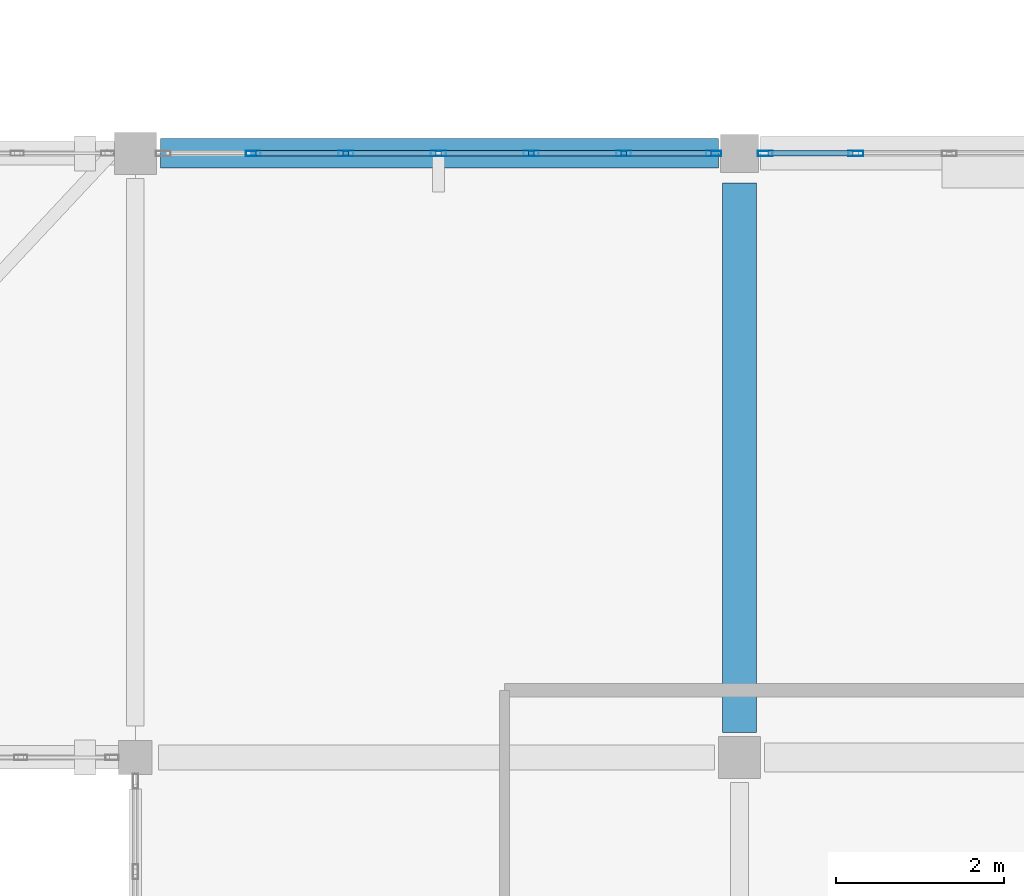
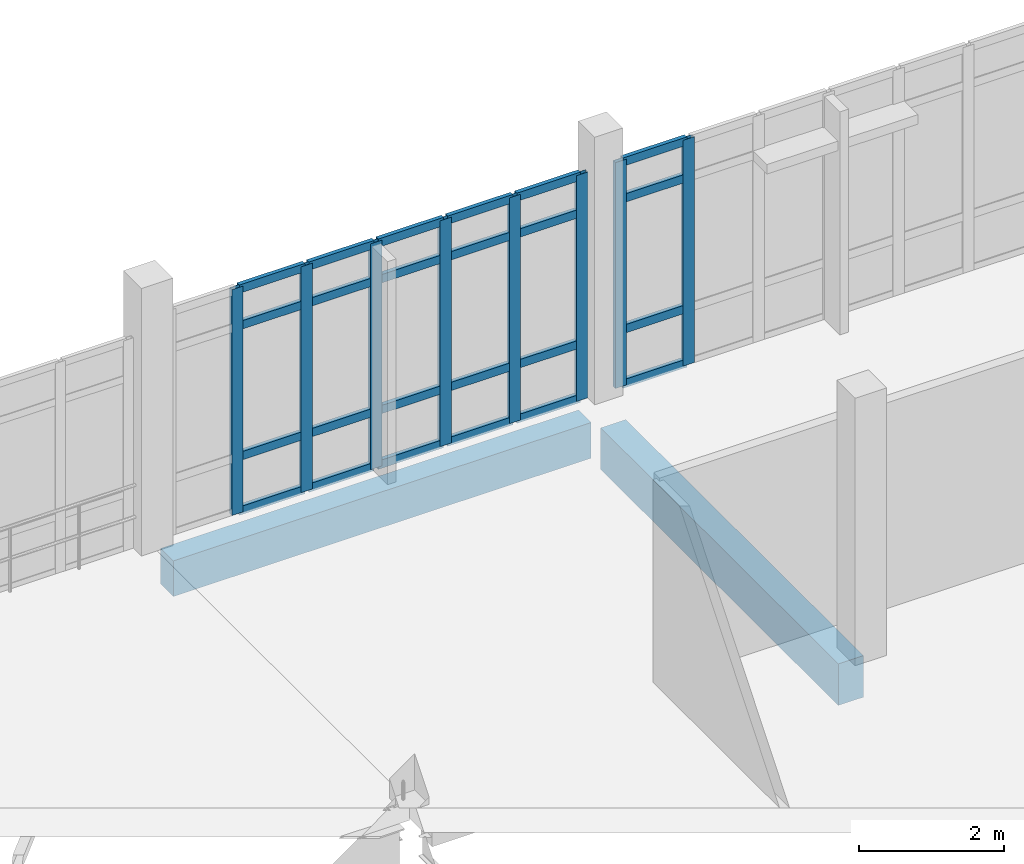
# One storey, part 51 of 116: 32 members, 2 beams, 2 elements without a shape of their own.
"""IFC4 building model written with IfcOpenShell, lengths in metres."""

from ifc_helpers import new_model, si_unit, direction, frame, origin, origin_2d, place, context, subcontext, project, spatial, rectangle, hollow_rectangle, extrude, material, material_profile, profile_set, type_object, element, aggregate, save


model = new_model("IFC4")

# Units and contexts
model_context = context("Model", 3, precision=1e-05, world=origin(), true_north=direction((0.0, 1.0)))
body_context = subcontext(model_context, "Body", "Model", "MODEL_VIEW")
ifc_project = project(units=[si_unit("LENGTHUNIT", "METRE"), si_unit("AREAUNIT", "SQUARE_METRE"), si_unit("VOLUMEUNIT", "CUBIC_METRE"), si_unit("PLANEANGLEUNIT", "RADIAN"), si_unit("MASSUNIT", "GRAM", prefix="KILO")], contexts=[model_context])

# Site, building, storey
site_placement = place(None, origin())
site = spatial("IfcSite", under=ifc_project, at=site_placement, CompositionType="ELEMENT")
building_placement = place(site_placement, origin())
building = spatial("IfcBuilding", under=site, at=building_placement, Name="Kalluvel Institute of Natural Sciences", CompositionType="ELEMENT")
storey_placement = place(building_placement, frame((0.0, 0.0, 14.39990234375)))
storey = spatial("IfcBuildingStorey", under=building, at=storey_placement, Name="L03", CompositionType="ELEMENT", Elevation=14.39990234375)

# Beam
ifc_material_1 = material(Name="Concrete M40", Category="concrete")
ifc_material_profile_1 = material_profile(ifc_material_1, rectangle(XDim=0.39990234375, YDim=0.699951171875, at=origin_2d()), Name="RCB 400x700")
ifc_profile_set_1 = profile_set([ifc_material_profile_1], Name="Concrete M40")
beam_type_1 = type_object("IfcBeamType", Name="BM-RC400x700", PredefinedType="BEAM", material=ifc_profile_set_1)
beam_1_placement = place(storey_placement, frame((107.60009765625, 28.699951171875, -0.669921875), z_axis=(0.0, 1.0, 0.0), x_axis=(-1.0, 0.0, 0.0)))
element("IfcBeam", 1, at=beam_1_placement, inside=storey, type_object=beam_type_1, Name="L03 girder GIR-L03-NS-X1076-Y284", PredefinedType="BEAM", context=body_context, shape_type="SweptSolid", body=[
    extrude(rectangle(XDim=0.39990234375, YDim=0.699951171875, at=origin_2d()), origin(), (0.0, 0.0, 1.0), 6.550048828125),
])

# Curtain wall, members
ifc_material_2 = material(Name="Aluminium AW-6063 T6", Category="aluminium")
curtain_wall_type = type_object("IfcCurtainWallType", Name="CW-SPAV-45", PredefinedType="USERDEFINED", material=ifc_material_2)
curtain_wall_1_placement = place(storey_placement, origin())
curtain_wall_1 = element("IfcCurtainWall", 2, at=curtain_wall_1_placement, inside=storey, type_object=curtain_wall_type, Name="L03 Gothic lancet curtain wall CWA-L03-X1007-Y356", ObjectType="UNITISED LANCET FACADE", PredefinedType="USERDEFINED")
ifc_material_profile_2 = material_profile(ifc_material_2, hollow_rectangle(XDim=0.06494140625, YDim=0.179931640625, WallThickness=0.00439453125, at=origin_2d()), Name="CWM 65x180")
ifc_profile_set_2 = profile_set([ifc_material_profile_2], Name="Aluminium AW-6063 T6")
member_type_1 = type_object("IfcMemberType", Name="CWM-65x180", PredefinedType="MULLION", material=ifc_profile_set_2)
member_1_placement = place(storey_placement, frame((101.80419921875, 35.60009765625, 0.0), z_axis=(0.0, 0.0, 1.0), x_axis=(0.0, 1.0, 0.0)))
member_1 = element("IfcMember", 3, at=member_1_placement, type_object=member_type_1, Name="CW-10 mullion 2", PredefinedType="MULLION", context=body_context, shape_type="SweptSolid", body=[
    extrude(hollow_rectangle(XDim=0.06494140625, YDim=0.179931640625, WallThickness=0.00439453125, at=origin_2d()), origin(), (0.0, 0.0, 1.0), 3.800048828125),
])
member_2_placement = place(storey_placement, frame((102.908447265625, 35.60009765625, 0.0), z_axis=(0.0, 0.0, 1.0), x_axis=(0.0, 1.0, 0.0)))
member_2 = element("IfcMember", 4, at=member_2_placement, type_object=member_type_1, Name="CW-10 mullion 3", PredefinedType="MULLION", context=body_context, shape_type="SweptSolid", body=[
    extrude(hollow_rectangle(XDim=0.06494140625, YDim=0.179931640625, WallThickness=0.00439453125, at=origin_2d()), origin(), (0.0, 0.0, 1.0), 3.800048828125),
])
member_3_placement = place(storey_placement, frame((104.012451171875, 35.60009765625, 0.0), z_axis=(0.0, 0.0, 1.0), x_axis=(0.0, 1.0, 0.0)))
member_3 = element("IfcMember", 5, at=member_3_placement, type_object=member_type_1, Name="CW-10 mullion 4", PredefinedType="MULLION", context=body_context, shape_type="SweptSolid", body=[
    extrude(hollow_rectangle(XDim=0.06494140625, YDim=0.179931640625, WallThickness=0.00439453125, at=origin_2d()), origin(), (0.0, 0.0, 1.0), 3.800048828125),
])
member_4_placement = place(storey_placement, frame((105.11669921875, 35.60009765625, 0.0), z_axis=(0.0, 0.0, 1.0), x_axis=(0.0, 1.0, 0.0)))
member_4 = element("IfcMember", 6, at=member_4_placement, type_object=member_type_1, Name="CW-10 mullion 5", PredefinedType="MULLION", context=body_context, shape_type="SweptSolid", body=[
    extrude(hollow_rectangle(XDim=0.06494140625, YDim=0.179931640625, WallThickness=0.00439453125, at=origin_2d()), origin(), (0.0, 0.0, 1.0), 3.800048828125),
])
member_5_placement = place(storey_placement, frame((106.220947265625, 35.60009765625, 0.0), z_axis=(0.0, 0.0, 1.0), x_axis=(0.0, 1.0, 0.0)))
member_5 = element("IfcMember", 7, at=member_5_placement, type_object=member_type_1, Name="CW-10 mullion 6", PredefinedType="MULLION", context=body_context, shape_type="SweptSolid", body=[
    extrude(hollow_rectangle(XDim=0.06494140625, YDim=0.179931640625, WallThickness=0.00439453125, at=origin_2d()), origin(), (0.0, 0.0, 1.0), 3.800048828125),
])
member_6_placement = place(storey_placement, frame((107.29248046875, 35.60009765625, 0.0), z_axis=(0.0, 0.0, 1.0), x_axis=(0.0, 1.0, 0.0)))
member_6 = element("IfcMember", 8, at=member_6_placement, type_object=member_type_1, Name="CW-10 mullion 7", PredefinedType="MULLION", context=body_context, shape_type="SweptSolid", body=[
    extrude(hollow_rectangle(XDim=0.06494140625, YDim=0.179931640625, WallThickness=0.00439453125, at=origin_2d()), origin(), (0.0, 0.0, 1.0), 3.800048828125),
])

curtain_wall_2_placement = place(storey_placement, origin())
curtain_wall_2 = element("IfcCurtainWall", 9, at=curtain_wall_2_placement, inside=storey, type_object=curtain_wall_type, Name="L03 Gothic lancet curtain wall CWA-L03-X1079-Y356", ObjectType="UNITISED LANCET FACADE", PredefinedType="USERDEFINED")
member_7_placement = place(storey_placement, frame((107.907470703125, 35.60009765625, 0.0), z_axis=(0.0, 0.0, 1.0), x_axis=(0.0, 1.0, 0.0)))
member_7 = element("IfcMember", 10, at=member_7_placement, type_object=member_type_1, Name="CW-10 mullion 1", PredefinedType="MULLION", context=body_context, shape_type="SweptSolid", body=[
    extrude(hollow_rectangle(XDim=0.06494140625, YDim=0.179931640625, WallThickness=0.00439453125, at=origin_2d()), origin(), (0.0, 0.0, 1.0), 3.800048828125),
])
member_8_placement = place(storey_placement, frame((108.987548828125, 35.60009765625, 0.0), z_axis=(0.0, 0.0, 1.0), x_axis=(0.0, 1.0, 0.0)))
member_8 = element("IfcMember", 11, at=member_8_placement, type_object=member_type_1, Name="CW-10 mullion 2", PredefinedType="MULLION", context=body_context, shape_type="SweptSolid", body=[
    extrude(hollow_rectangle(XDim=0.06494140625, YDim=0.179931640625, WallThickness=0.00439453125, at=origin_2d()), origin(), (0.0, 0.0, 1.0), 3.800048828125),
])

# Member
ifc_material_profile_3 = material_profile(ifc_material_2, hollow_rectangle(XDim=0.06494140625, YDim=0.139892578125, WallThickness=0.00439453125, at=origin_2d()), Name="CWT 65x140")
ifc_profile_set_3 = profile_set([ifc_material_profile_3], Name="Aluminium AW-6063 T6")
member_type_2 = type_object("IfcMemberType", Name="CWT-65x140", PredefinedType="USERDEFINED", material=ifc_profile_set_3)
member_9_placement = place(storey_placement, frame((101.836669921875, 35.60009765625, 0.03271484375), z_axis=(1.0, 0.0, 0.0), x_axis=(0.0, 1.0, 0.0)))
member_9 = element("IfcMember", 12, at=member_9_placement, type_object=member_type_2, Name="CW-10 transom 2.1", ObjectType="TRANSOM", PredefinedType="USERDEFINED", context=body_context, shape_type="SweptSolid", body=[
    extrude(hollow_rectangle(XDim=0.06494140625, YDim=0.139892578125, WallThickness=0.00439453125, at=origin_2d()), origin(), (0.0, 0.0, 1.0), 1.0390625),
])

member_10_placement = place(storey_placement, frame((101.836669921875, 35.60009765625, 0.9501953125), z_axis=(1.0, 0.0, 0.0), x_axis=(0.0, 1.0, 0.0)))
member_10 = element("IfcMember", 13, at=member_10_placement, type_object=member_type_2, Name="CW-10 transom 2.2", ObjectType="TRANSOM", PredefinedType="USERDEFINED", context=body_context, shape_type="SweptSolid", body=[
    extrude(hollow_rectangle(XDim=0.06494140625, YDim=0.139892578125, WallThickness=0.00439453125, at=origin_2d()), origin(), (0.0, 0.0, 1.0), 1.0390625),
])

member_11_placement = place(storey_placement, frame((101.836669921875, 35.60009765625, 3.150146484375), z_axis=(1.0, 0.0, 0.0), x_axis=(0.0, 1.0, 0.0)))
member_11 = element("IfcMember", 14, at=member_11_placement, type_object=member_type_2, Name="CW-10 transom 2.3", ObjectType="TRANSOM", PredefinedType="USERDEFINED", context=body_context, shape_type="SweptSolid", body=[
    extrude(hollow_rectangle(XDim=0.06494140625, YDim=0.139892578125, WallThickness=0.00439453125, at=origin_2d()), origin(), (0.0, 0.0, 1.0), 1.0390625),
])

member_12_placement = place(storey_placement, frame((101.836669921875, 35.60009765625, 3.767578125), z_axis=(1.0, 0.0, 0.0), x_axis=(0.0, 1.0, 0.0)))
member_12 = element("IfcMember", 15, at=member_12_placement, type_object=member_type_2, Name="CW-10 transom 2.4", ObjectType="TRANSOM", PredefinedType="USERDEFINED", context=body_context, shape_type="SweptSolid", body=[
    extrude(hollow_rectangle(XDim=0.06494140625, YDim=0.139892578125, WallThickness=0.00439453125, at=origin_2d()), origin(), (0.0, 0.0, 1.0), 1.0390625),
])

member_13_placement = place(storey_placement, frame((102.94091796875, 35.60009765625, 0.03271484375), z_axis=(1.0, 0.0, 0.0), x_axis=(0.0, 1.0, 0.0)))
member_13 = element("IfcMember", 16, at=member_13_placement, type_object=member_type_2, Name="CW-10 transom 3.1", ObjectType="TRANSOM", PredefinedType="USERDEFINED", context=body_context, shape_type="SweptSolid", body=[
    extrude(hollow_rectangle(XDim=0.06494140625, YDim=0.139892578125, WallThickness=0.00439453125, at=origin_2d()), origin(), (0.0, 0.0, 1.0), 1.0390625),
])

member_14_placement = place(storey_placement, frame((102.94091796875, 35.60009765625, 0.9501953125), z_axis=(1.0, 0.0, 0.0), x_axis=(0.0, 1.0, 0.0)))
member_14 = element("IfcMember", 17, at=member_14_placement, type_object=member_type_2, Name="CW-10 transom 3.2", ObjectType="TRANSOM", PredefinedType="USERDEFINED", context=body_context, shape_type="SweptSolid", body=[
    extrude(hollow_rectangle(XDim=0.06494140625, YDim=0.139892578125, WallThickness=0.00439453125, at=origin_2d()), origin(), (0.0, 0.0, 1.0), 1.0390625),
])

member_15_placement = place(storey_placement, frame((102.94091796875, 35.60009765625, 3.150146484375), z_axis=(1.0, 0.0, 0.0), x_axis=(0.0, 1.0, 0.0)))
member_15 = element("IfcMember", 18, at=member_15_placement, type_object=member_type_2, Name="CW-10 transom 3.3", ObjectType="TRANSOM", PredefinedType="USERDEFINED", context=body_context, shape_type="SweptSolid", body=[
    extrude(hollow_rectangle(XDim=0.06494140625, YDim=0.139892578125, WallThickness=0.00439453125, at=origin_2d()), origin(), (0.0, 0.0, 1.0), 1.0390625),
])

member_16_placement = place(storey_placement, frame((102.94091796875, 35.60009765625, 3.767578125), z_axis=(1.0, 0.0, 0.0), x_axis=(0.0, 1.0, 0.0)))
member_16 = element("IfcMember", 19, at=member_16_placement, type_object=member_type_2, Name="CW-10 transom 3.4", ObjectType="TRANSOM", PredefinedType="USERDEFINED", context=body_context, shape_type="SweptSolid", body=[
    extrude(hollow_rectangle(XDim=0.06494140625, YDim=0.139892578125, WallThickness=0.00439453125, at=origin_2d()), origin(), (0.0, 0.0, 1.0), 1.0390625),
])

member_17_placement = place(storey_placement, frame((104.044921875, 35.60009765625, 0.03271484375), z_axis=(1.0, 0.0, 0.0), x_axis=(0.0, 1.0, 0.0)))
member_17 = element("IfcMember", 20, at=member_17_placement, type_object=member_type_2, Name="CW-10 transom 4.1", ObjectType="TRANSOM", PredefinedType="USERDEFINED", context=body_context, shape_type="SweptSolid", body=[
    extrude(hollow_rectangle(XDim=0.06494140625, YDim=0.139892578125, WallThickness=0.00439453125, at=origin_2d()), origin(), (0.0, 0.0, 1.0), 1.039306640625),
])

member_18_placement = place(storey_placement, frame((104.044921875, 35.60009765625, 0.9501953125), z_axis=(1.0, 0.0, 0.0), x_axis=(0.0, 1.0, 0.0)))
member_18 = element("IfcMember", 21, at=member_18_placement, type_object=member_type_2, Name="CW-10 transom 4.2", ObjectType="TRANSOM", PredefinedType="USERDEFINED", context=body_context, shape_type="SweptSolid", body=[
    extrude(hollow_rectangle(XDim=0.06494140625, YDim=0.139892578125, WallThickness=0.00439453125, at=origin_2d()), origin(), (0.0, 0.0, 1.0), 1.039306640625),
])

member_19_placement = place(storey_placement, frame((104.044921875, 35.60009765625, 3.150146484375), z_axis=(1.0, 0.0, 0.0), x_axis=(0.0, 1.0, 0.0)))
member_19 = element("IfcMember", 22, at=member_19_placement, type_object=member_type_2, Name="CW-10 transom 4.3", ObjectType="TRANSOM", PredefinedType="USERDEFINED", context=body_context, shape_type="SweptSolid", body=[
    extrude(hollow_rectangle(XDim=0.06494140625, YDim=0.139892578125, WallThickness=0.00439453125, at=origin_2d()), origin(), (0.0, 0.0, 1.0), 1.039306640625),
])

member_20_placement = place(storey_placement, frame((104.044921875, 35.60009765625, 3.767578125), z_axis=(1.0, 0.0, 0.0), x_axis=(0.0, 1.0, 0.0)))
member_20 = element("IfcMember", 23, at=member_20_placement, type_object=member_type_2, Name="CW-10 transom 4.4", ObjectType="TRANSOM", PredefinedType="USERDEFINED", context=body_context, shape_type="SweptSolid", body=[
    extrude(hollow_rectangle(XDim=0.06494140625, YDim=0.139892578125, WallThickness=0.00439453125, at=origin_2d()), origin(), (0.0, 0.0, 1.0), 1.039306640625),
])

member_21_placement = place(storey_placement, frame((105.149169921875, 35.60009765625, 0.03271484375), z_axis=(1.0, 0.0, 0.0), x_axis=(0.0, 1.0, 0.0)))
member_21 = element("IfcMember", 24, at=member_21_placement, type_object=member_type_2, Name="CW-10 transom 5.1", ObjectType="TRANSOM", PredefinedType="USERDEFINED", context=body_context, shape_type="SweptSolid", body=[
    extrude(hollow_rectangle(XDim=0.06494140625, YDim=0.139892578125, WallThickness=0.00439453125, at=origin_2d()), origin(), (0.0, 0.0, 1.0), 1.0390625),
])

member_22_placement = place(storey_placement, frame((105.149169921875, 35.60009765625, 0.9501953125), z_axis=(1.0, 0.0, 0.0), x_axis=(0.0, 1.0, 0.0)))
member_22 = element("IfcMember", 25, at=member_22_placement, type_object=member_type_2, Name="CW-10 transom 5.2", ObjectType="TRANSOM", PredefinedType="USERDEFINED", context=body_context, shape_type="SweptSolid", body=[
    extrude(hollow_rectangle(XDim=0.06494140625, YDim=0.139892578125, WallThickness=0.00439453125, at=origin_2d()), origin(), (0.0, 0.0, 1.0), 1.0390625),
])

member_23_placement = place(storey_placement, frame((105.149169921875, 35.60009765625, 3.150146484375), z_axis=(1.0, 0.0, 0.0), x_axis=(0.0, 1.0, 0.0)))
member_23 = element("IfcMember", 26, at=member_23_placement, type_object=member_type_2, Name="CW-10 transom 5.3", ObjectType="TRANSOM", PredefinedType="USERDEFINED", context=body_context, shape_type="SweptSolid", body=[
    extrude(hollow_rectangle(XDim=0.06494140625, YDim=0.139892578125, WallThickness=0.00439453125, at=origin_2d()), origin(), (0.0, 0.0, 1.0), 1.0390625),
])

member_24_placement = place(storey_placement, frame((105.149169921875, 35.60009765625, 3.767578125), z_axis=(1.0, 0.0, 0.0), x_axis=(0.0, 1.0, 0.0)))
member_24 = element("IfcMember", 27, at=member_24_placement, type_object=member_type_2, Name="CW-10 transom 5.4", ObjectType="TRANSOM", PredefinedType="USERDEFINED", context=body_context, shape_type="SweptSolid", body=[
    extrude(hollow_rectangle(XDim=0.06494140625, YDim=0.139892578125, WallThickness=0.00439453125, at=origin_2d()), origin(), (0.0, 0.0, 1.0), 1.0390625),
])

member_25_placement = place(storey_placement, frame((106.25341796875, 35.60009765625, 0.03271484375), z_axis=(1.0, 0.0, 0.0), x_axis=(0.0, 1.0, 0.0)))
member_25 = element("IfcMember", 28, at=member_25_placement, type_object=member_type_2, Name="CW-10 transom 6.1", ObjectType="TRANSOM", PredefinedType="USERDEFINED", context=body_context, shape_type="SweptSolid", body=[
    extrude(hollow_rectangle(XDim=0.06494140625, YDim=0.139892578125, WallThickness=0.00439453125, at=origin_2d()), origin(), (0.0, 0.0, 1.0), 1.006591796875),
])

member_26_placement = place(storey_placement, frame((106.25341796875, 35.60009765625, 0.9501953125), z_axis=(1.0, 0.0, 0.0), x_axis=(0.0, 1.0, 0.0)))
member_26 = element("IfcMember", 29, at=member_26_placement, type_object=member_type_2, Name="CW-10 transom 6.2", ObjectType="TRANSOM", PredefinedType="USERDEFINED", context=body_context, shape_type="SweptSolid", body=[
    extrude(hollow_rectangle(XDim=0.06494140625, YDim=0.139892578125, WallThickness=0.00439453125, at=origin_2d()), origin(), (0.0, 0.0, 1.0), 1.006591796875),
])

member_27_placement = place(storey_placement, frame((106.25341796875, 35.60009765625, 3.150146484375), z_axis=(1.0, 0.0, 0.0), x_axis=(0.0, 1.0, 0.0)))
member_27 = element("IfcMember", 30, at=member_27_placement, type_object=member_type_2, Name="CW-10 transom 6.3", ObjectType="TRANSOM", PredefinedType="USERDEFINED", context=body_context, shape_type="SweptSolid", body=[
    extrude(hollow_rectangle(XDim=0.06494140625, YDim=0.139892578125, WallThickness=0.00439453125, at=origin_2d()), origin(), (0.0, 0.0, 1.0), 1.006591796875),
])

member_28_placement = place(storey_placement, frame((106.25341796875, 35.60009765625, 3.767578125), z_axis=(1.0, 0.0, 0.0), x_axis=(0.0, 1.0, 0.0)))
member_28 = element("IfcMember", 31, at=member_28_placement, type_object=member_type_2, Name="CW-10 transom 6.4", ObjectType="TRANSOM", PredefinedType="USERDEFINED", context=body_context, shape_type="SweptSolid", body=[
    extrude(hollow_rectangle(XDim=0.06494140625, YDim=0.139892578125, WallThickness=0.00439453125, at=origin_2d()), origin(), (0.0, 0.0, 1.0), 1.006591796875),
])

aggregate(curtain_wall_1, [member_1, member_2, member_3, member_4, member_5, member_6, member_9, member_10, member_11, member_12, member_13, member_14, member_15, member_16, member_17, member_18, member_19, member_20, member_21, member_22, member_23, member_24, member_25, member_26, member_27, member_28])

member_29_placement = place(storey_placement, frame((107.93994140625, 35.60009765625, 0.03271484375), z_axis=(1.0, 0.0, 0.0), x_axis=(0.0, 1.0, 0.0)))
member_29 = element("IfcMember", 32, at=member_29_placement, type_object=member_type_2, Name="CW-10 transom 1.1", ObjectType="TRANSOM", PredefinedType="USERDEFINED", context=body_context, shape_type="SweptSolid", body=[
    extrude(hollow_rectangle(XDim=0.06494140625, YDim=0.139892578125, WallThickness=0.00439453125, at=origin_2d()), origin(), (0.0, 0.0, 1.0), 1.01513671875),
])

member_30_placement = place(storey_placement, frame((107.93994140625, 35.60009765625, 0.9501953125), z_axis=(1.0, 0.0, 0.0), x_axis=(0.0, 1.0, 0.0)))
member_30 = element("IfcMember", 33, at=member_30_placement, type_object=member_type_2, Name="CW-10 transom 1.2", ObjectType="TRANSOM", PredefinedType="USERDEFINED", context=body_context, shape_type="SweptSolid", body=[
    extrude(hollow_rectangle(XDim=0.06494140625, YDim=0.139892578125, WallThickness=0.00439453125, at=origin_2d()), origin(), (0.0, 0.0, 1.0), 1.01513671875),
])

member_31_placement = place(storey_placement, frame((107.93994140625, 35.60009765625, 3.150146484375), z_axis=(1.0, 0.0, 0.0), x_axis=(0.0, 1.0, 0.0)))
member_31 = element("IfcMember", 34, at=member_31_placement, type_object=member_type_2, Name="CW-10 transom 1.3", ObjectType="TRANSOM", PredefinedType="USERDEFINED", context=body_context, shape_type="SweptSolid", body=[
    extrude(hollow_rectangle(XDim=0.06494140625, YDim=0.139892578125, WallThickness=0.00439453125, at=origin_2d()), origin(), (0.0, 0.0, 1.0), 1.01513671875),
])

member_32_placement = place(storey_placement, frame((107.93994140625, 35.60009765625, 3.767578125), z_axis=(1.0, 0.0, 0.0), x_axis=(0.0, 1.0, 0.0)))
member_32 = element("IfcMember", 35, at=member_32_placement, type_object=member_type_2, Name="CW-10 transom 1.4", ObjectType="TRANSOM", PredefinedType="USERDEFINED", context=body_context, shape_type="SweptSolid", body=[
    extrude(hollow_rectangle(XDim=0.06494140625, YDim=0.139892578125, WallThickness=0.00439453125, at=origin_2d()), origin(), (0.0, 0.0, 1.0), 1.01513671875),
])

aggregate(curtain_wall_2, [member_7, member_8, member_29, member_30, member_31, member_32])

# Beam
ifc_material_profile_4 = material_profile(ifc_material_1, rectangle(XDim=0.35009765625, YDim=0.60009765625, at=origin_2d()), Name="RCB 350x600")
ifc_profile_set_4 = profile_set([ifc_material_profile_4], Name="Concrete M40")
beam_type_2 = type_object("IfcBeamType", Name="SP-RC350x600", PredefinedType="SPANDREL", material=ifc_profile_set_4)
beam_2_placement = place(storey_placement, frame((100.699951171875, 35.60009765625, -0.619873046875), z_axis=(1.0, 0.0, 0.0), x_axis=(0.0, 1.0, 0.0)))
element("IfcBeam", 36, at=beam_2_placement, inside=storey, type_object=beam_type_2, Name="L03 girder GIR-L03-EW-X1004-Y356", PredefinedType="SPANDREL", context=body_context, shape_type="SweptSolid", body=[
    extrude(rectangle(XDim=0.35009765625, YDim=0.60009765625, at=origin_2d()), origin(), (0.0, 0.0, 1.0), 6.650146484375),
])

save(model, "model.ifc")
